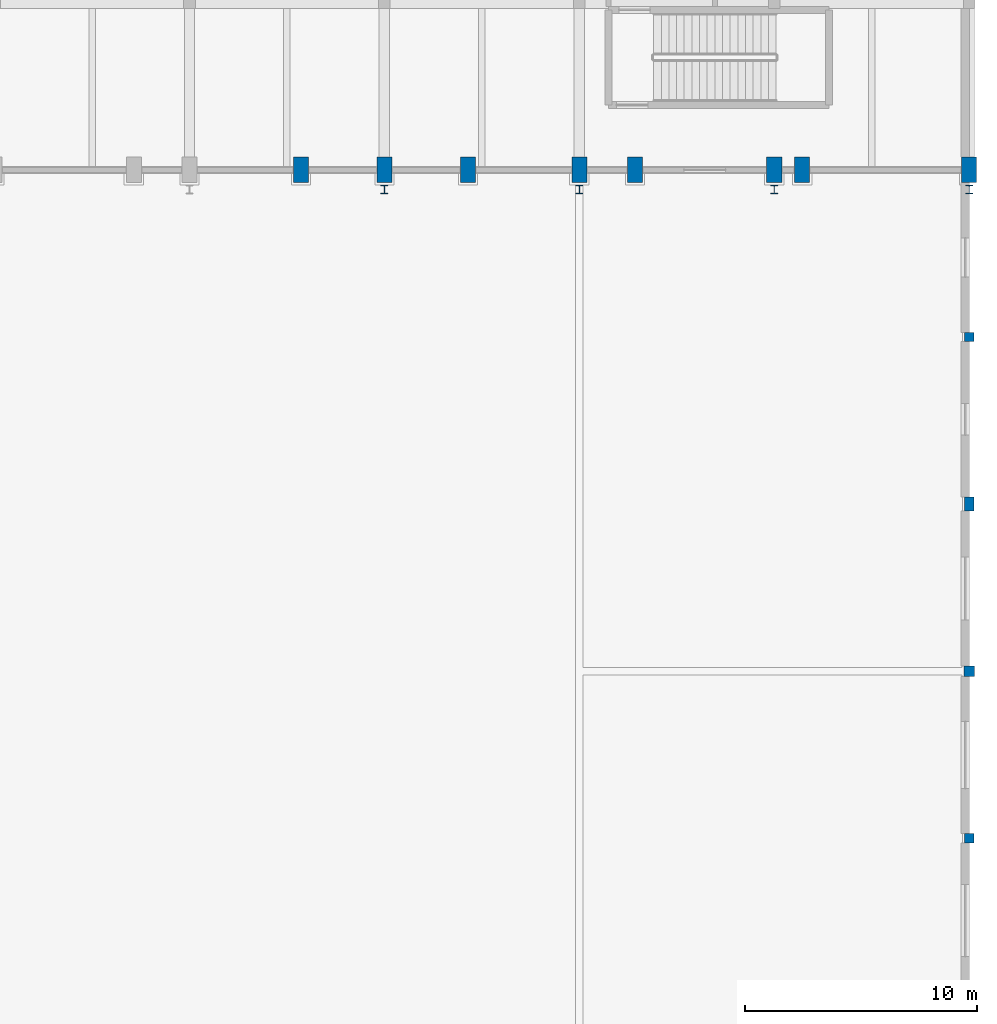
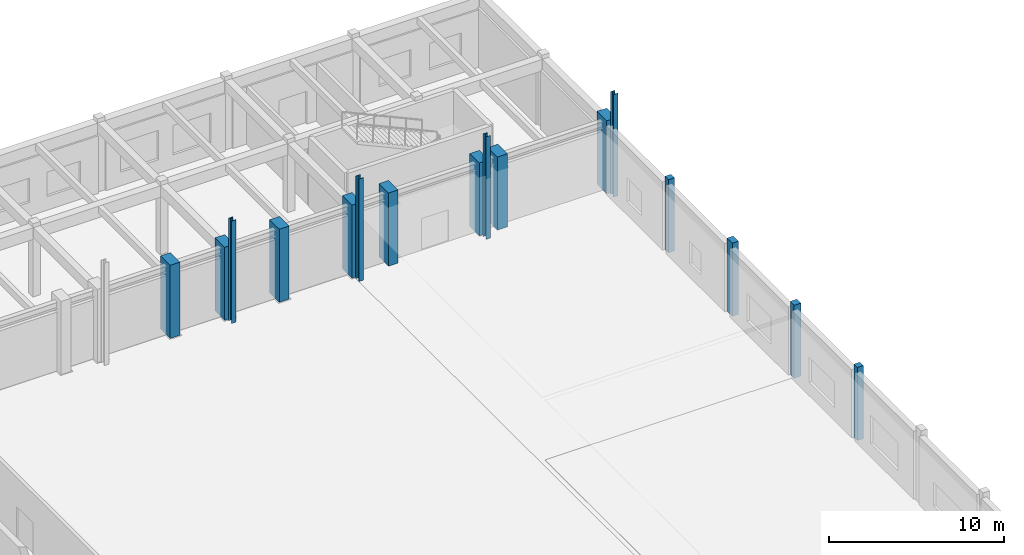
# One storey, part 32 of 121: 16 columns.
"""IFC4 building model written with IfcOpenShell, lengths in metres."""

from ifc_helpers import new_model, si_unit, direction, frame, origin, origin_2d, place, context, subcontext, project, spatial, rectangle, i_section, extrude, material, material_profile, profile_set, type_object, element, save


model = new_model("IFC4")

# Units and contexts
model_context = context("Model", 3, precision=1e-05, world=origin(), true_north=direction((0.0, 1.0)))
body_context = subcontext(model_context, "Body", "Model", "MODEL_VIEW")
ifc_project = project(units=[si_unit("LENGTHUNIT", "METRE"), si_unit("AREAUNIT", "SQUARE_METRE"), si_unit("VOLUMEUNIT", "CUBIC_METRE"), si_unit("PLANEANGLEUNIT", "RADIAN"), si_unit("MASSUNIT", "GRAM", prefix="KILO")], contexts=[model_context])

# Site, building, storey
site_placement = place(None, origin())
site = spatial("IfcSite", under=ifc_project, at=site_placement, CompositionType="ELEMENT")
building_placement = place(site_placement, origin())
building = spatial("IfcBuilding", under=site, at=building_placement, Name="Malvenik Polytechnic", CompositionType="ELEMENT")
storey_placement = place(building_placement, origin())
storey = spatial("IfcBuildingStorey", under=building, at=storey_placement, Name="L00", CompositionType="ELEMENT", Elevation=0.0)

# Columns
ifc_material_1 = material(Name="Concrete C35/45", Category="concrete")
ifc_material_profile_1 = material_profile(ifc_material_1, rectangle(XDim=0.449951171875, YDim=0.449951171875, at=origin_2d()), Name="RC COL 450x450")
ifc_profile_set_1 = profile_set([ifc_material_profile_1], Name="Concrete C35/45")
column_type_1 = type_object("IfcColumnType", Name="STR-COL-C-09", PredefinedType="COLUMN", material=ifc_profile_set_1)
column_1_placement = place(storey_placement, frame((184.800048828125, 72.0, 0.0), z_axis=(0.0, 0.0, 1.0), x_axis=(1.0, 0.0, 0.0)))
element("IfcColumn", 1, at=column_1_placement, inside=storey, type_object=column_type_1, Name="Column C-09 L00 (184.8,72.0)", PredefinedType="COLUMN", context=body_context, shape_type="SweptSolid", body=[
    extrude(rectangle(XDim=0.449951171875, YDim=0.449951171875, at=origin_2d()), origin(), (0.0, 0.0, 1.0), 5.10009765625),
])
ifc_material_2 = material(Name="Concrete C30/37", Category="concrete")
ifc_material_profile_2 = material_profile(ifc_material_2, rectangle(XDim=0.39990234375, YDim=0.39990234375, at=origin_2d()), Name="RC COL 400x400")
ifc_profile_set_2 = profile_set([ifc_material_profile_2], Name="Concrete C30/37")
column_type_2 = type_object("IfcColumnType", Name="STR-COL-C-10", PredefinedType="COLUMN", material=ifc_profile_set_2)
for number, where, z_axis, x_axis, name in (
    (2, (184.800048828125, 64.800048828125, 0.0), (0.0, 0.0, 1.0), (1.0, 0.0, 0.0), "Column C-10 L00 (184.8,64.8)"),
    (3, (184.800048828125, 86.39990234375, 0.0), (0.0, 0.0, 1.0), (1.0, 0.0, 0.0), "Column C-10 L00 (184.8,86.4)"),
):
    element("IfcColumn", number, at=place(storey_placement, frame(where, z_axis=z_axis, x_axis=x_axis)), inside=storey, type_object=column_type_2, Name=name, PredefinedType="COLUMN", context=body_context, shape_type="SweptSolid", body=[
        extrude(rectangle(XDim=0.39990234375, YDim=0.39990234375, at=origin_2d()), origin(), (0.0, 0.0, 1.0), 5.10009765625),
    ])
ifc_material_profile_3 = material_profile(ifc_material_1, rectangle(XDim=0.64990234375, YDim=1.10009765625, at=origin_2d()), Name="RC COL 1100x650")
ifc_profile_set_3 = profile_set([ifc_material_profile_3], Name="Concrete C35/45")
column_type_3 = type_object("IfcColumnType", Name="STR-COL-C-12", PredefinedType="COLUMN", material=ifc_profile_set_3)
for number, where, z_axis, x_axis, name in (
    (4, (156.0, 93.60009765625, 0.0), (0.0, 0.0, 1.0), (1.0, 0.0, 0.0), "Column C-12 L00 (156.0,93.6)"),
    (5, (159.60009765625, 93.60009765625, 0.0), (0.0, 0.0, 1.0), (1.0, 0.0, 0.0), "Column C-12 L00 (159.6,93.6)"),
    (6, (163.199951171875, 93.60009765625, 0.0), (0.0, 0.0, 1.0), (1.0, 0.0, 0.0), "Column C-12 L00 (163.2,93.6)"),
    (7, (168.0, 93.60009765625, 0.0), (0.0, 0.0, 1.0), (1.0, 0.0, 0.0), "Column C-12 L00 (168.0,93.6)"),
    (8, (170.39990234375, 93.60009765625, 0.0), (0.0, 0.0, 1.0), (1.0, 0.0, 0.0), "Column C-12 L00 (170.4,93.6)"),
    (9, (176.39990234375, 93.60009765625, 0.0), (0.0, 0.0, 1.0), (1.0, 0.0, 0.0), "Column C-12 L00 (176.4,93.6)"),
    (10, (177.60009765625, 93.60009765625, 0.0), (0.0, 0.0, 1.0), (1.0, 0.0, 0.0), "Column C-12 L00 (177.6,93.6)"),
    (11, (184.800048828125, 93.60009765625, 0.0), (0.0, 0.0, 1.0), (1.0, 0.0, 0.0), "Column C-12 L00 (184.8,93.6)"),
):
    element("IfcColumn", number, at=place(storey_placement, frame(where, z_axis=z_axis, x_axis=x_axis)), inside=storey, type_object=column_type_3, Name=name, PredefinedType="COLUMN", context=body_context, shape_type="SweptSolid", body=[
        extrude(rectangle(XDim=0.64990234375, YDim=1.10009765625, at=origin_2d()), origin(), (0.0, 0.0, 1.0), 5.10009765625),
    ])
ifc_material_profile_4 = material_profile(ifc_material_1, rectangle(XDim=0.39990234375, YDim=0.60009765625, at=origin_2d()), Name="RC COL 600x400")
ifc_profile_set_4 = profile_set([ifc_material_profile_4], Name="Concrete C35/45")
column_type_4 = type_object("IfcColumnType", Name="STR-COL-C-15", PredefinedType="COLUMN", material=ifc_profile_set_4)
column_2_placement = place(storey_placement, frame((184.800048828125, 79.199951171875, 0.0), z_axis=(0.0, 0.0, 1.0), x_axis=(1.0, 0.0, 0.0)))
element("IfcColumn", 12, at=column_2_placement, inside=storey, type_object=column_type_4, Name="Column C-15 L00 (184.8,79.2)", PredefinedType="COLUMN", context=body_context, shape_type="SweptSolid", body=[
    extrude(rectangle(XDim=0.39990234375, YDim=0.60009765625, at=origin_2d()), origin(), (0.0, 0.0, 1.0), 5.10009765625),
])
ifc_material_3 = material(Name="Steel S355", Category="steel")
ifc_material_profile_5 = material_profile(ifc_material_3, i_section(OverallWidth=0.300048828125, OverallDepth=0.360107421875, WebThickness=0.012451171875, FlangeThickness=0.0224609375, FilletRadius=0.027099609375, at=origin_2d()), Name="HEB 360")
ifc_profile_set_5 = profile_set([ifc_material_profile_5], Name="Steel S355")
column_type_5 = type_object("IfcColumnType", Name="STR-SCOL-SC-03", PredefinedType="COLUMN", material=ifc_profile_set_5)
for number, where, z_axis, x_axis, name in (
    (13, (159.60009765625, 92.75, 0.0), (0.0, 0.0, 1.0), (1.0, 0.0, 0.0), "Crane Runway Column SC-03 #2.4"),
    (14, (168.0, 92.75, 0.0), (0.0, 0.0, 1.0), (1.0, 0.0, 0.0), "Crane Runway Column SC-03 #2.5"),
    (15, (176.39990234375, 92.75, 0.0), (0.0, 0.0, 1.0), (1.0, 0.0, 0.0), "Crane Runway Column SC-03 #2.6"),
    (16, (184.800048828125, 92.75, 0.0), (0.0, 0.0, 1.0), (1.0, 0.0, 0.0), "Crane Runway Column SC-03 #2.7"),
):
    element("IfcColumn", number, at=place(storey_placement, frame(where, z_axis=z_axis, x_axis=x_axis)), inside=storey, type_object=column_type_5, Name=name, PredefinedType="COLUMN", context=body_context, shape_type="SweptSolid", body=[
        extrude(i_section(OverallWidth=0.300048828125, OverallDepth=0.360107421875, WebThickness=0.012451171875, FlangeThickness=0.0224609375, FilletRadius=0.027099609375, at=origin_2d()), origin(), (0.0, 0.0, 1.0), 7.155029296875),
    ])

save(model, "model.ifc")
